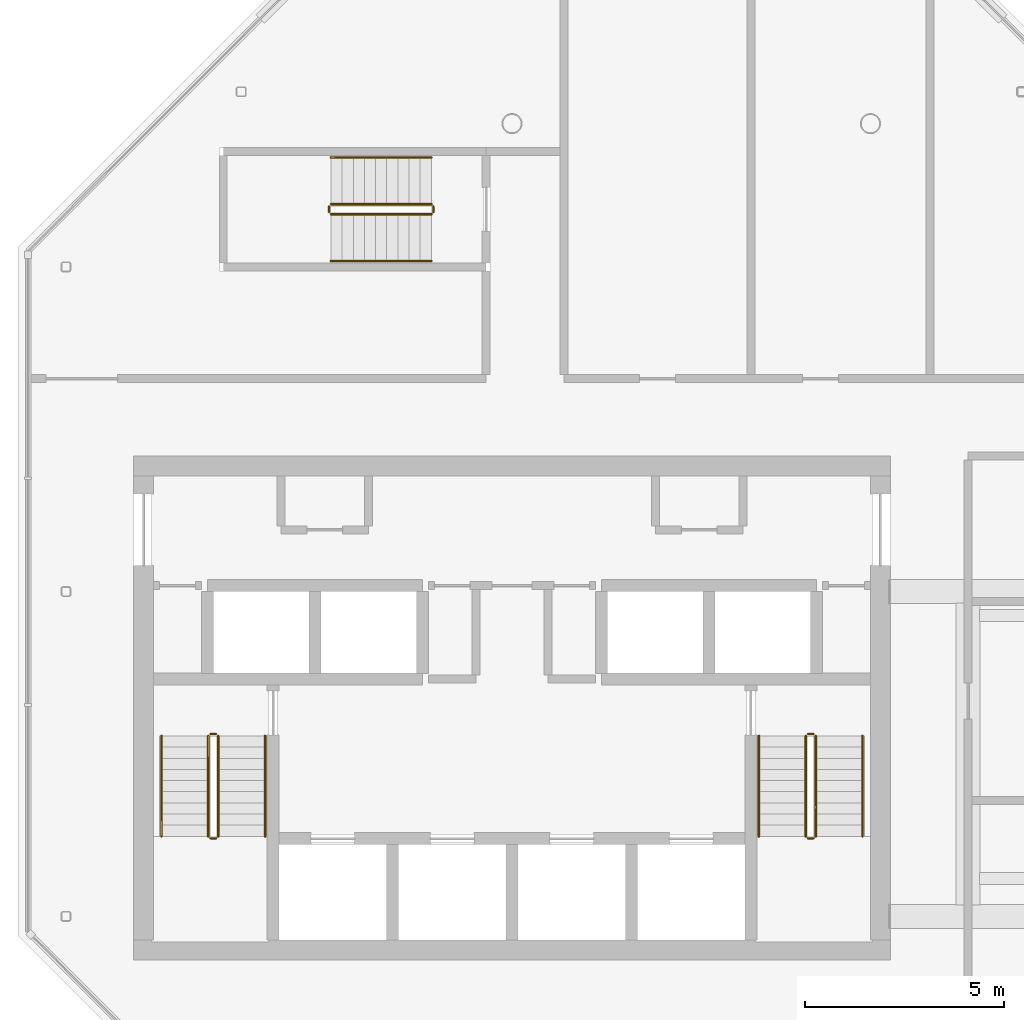
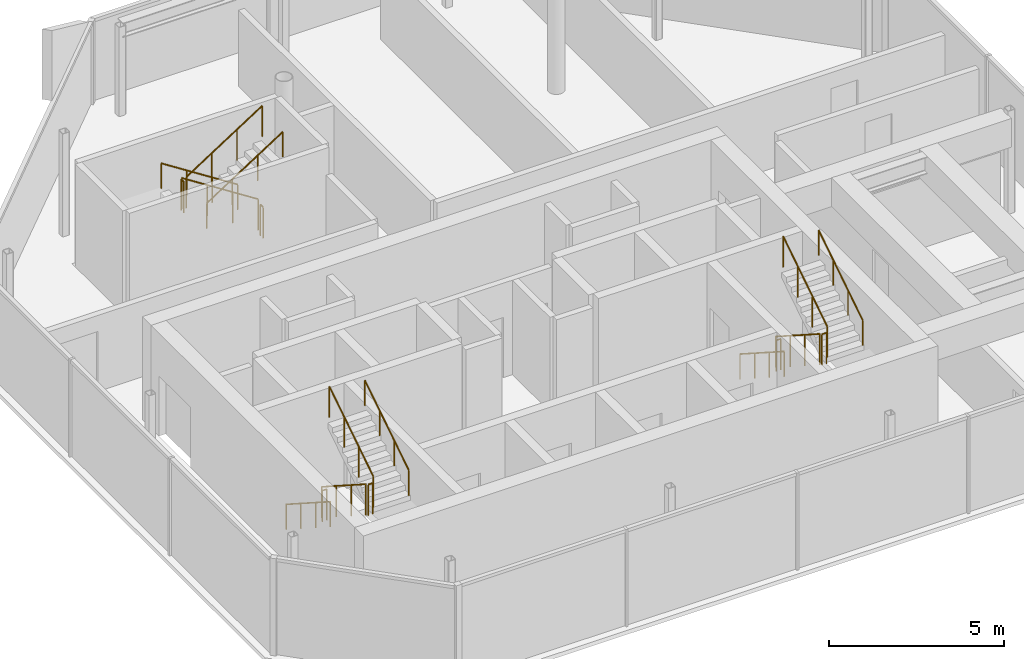
# One storey, part 7 of 7: 18 railings.
"""IFC4 building model written with IfcOpenShell, lengths in metres."""

from ifc_helpers import new_model, si_unit, direction, frame, origin, origin_2d, place, context, subcontext, project, spatial, circle, extrude, material, type_object, element, save


model = new_model("IFC4")

# Units and contexts
model_context = context("Model", 3, precision=1e-05, world=origin(), true_north=direction((0.0, 1.0)))
body_context = subcontext(model_context, "Body", "Model", "MODEL_VIEW")
ifc_project = project(units=[si_unit("LENGTHUNIT", "METRE"), si_unit("AREAUNIT", "SQUARE_METRE"), si_unit("VOLUMEUNIT", "CUBIC_METRE"), si_unit("PLANEANGLEUNIT", "RADIAN"), si_unit("MASSUNIT", "GRAM", prefix="KILO")], contexts=[model_context])

# Site, building, storey
site_placement = place(None, origin())
site = spatial("IfcSite", under=ifc_project, at=site_placement, CompositionType="ELEMENT")
building_placement = place(site_placement, origin())
building = spatial("IfcBuilding", under=site, at=building_placement, Name="Tskaro Facet Tower", CompositionType="ELEMENT")
storey_placement = place(building_placement, frame((0.0, 0.0, 297.300048828125)))
storey = spatial("IfcBuildingStorey", under=building, at=storey_placement, Name="L80", CompositionType="ELEMENT", Elevation=297.300048828125)

# Railings
ifc_material = material(Name="Stainless steel", Category="steel")
railing_type_1 = type_object("IfcRailingType", Name="RL-GUARD-1100", PredefinedType="GUARDRAIL", material=ifc_material)
railing_1_placement = place(storey_placement, frame((-7.625, -6.375, 0.179931640625)))
element("IfcRailing", 1, at=railing_1_placement, inside=storey, type_object=railing_type_1, Name="L80 ST-1 stair guard 1", PredefinedType="GUARDRAIL", context=body_context, shape_type="SweptSolid", body=[
    extrude(circle(Radius=0.02392578125, at=origin_2d()), frame((0.0, 0.0, 1.076171875), z_axis=(0.0, -0.841162588446, 0.540782303519), x_axis=(1.0, 0.0, 0.0)), (0.0, 0.0, 1.0), 2.995849609375),
    extrude(circle(Radius=0.02099609375, at=origin_2d()), origin(), (0.0, 0.0, 1.0), 1.052001953125),
    extrude(circle(Radius=0.02099609375, at=origin_2d()), frame((0.0, -0.840087890625, 0.5400390625)), (0.0, 0.0, 1.0), 1.052001953125),
    extrude(circle(Radius=0.02099609375, at=origin_2d()), frame((0.0, -1.679931640625, 1.080078125)), (0.0, 0.0, 1.0), 1.052001953125),
    extrude(circle(Radius=0.02099609375, at=origin_2d()), frame((0.0, -2.52001953125, 1.6201171875)), (0.0, 0.0, 1.0), 1.052001953125),
])
railing_2_placement = place(storey_placement, frame((-7.574951171875, -8.945068359375, 1.800048828125)))
element("IfcRailing", 2, at=railing_2_placement, inside=storey, type_object=railing_type_1, Name="L80 ST-1 stair guard 2", PredefinedType="GUARDRAIL", context=body_context, shape_type="SweptSolid", body=[
    extrude(circle(Radius=0.02392578125, at=origin_2d()), frame((0.0, 0.0, 1.076171875), z_axis=(1.0, 0.0, 0.0), x_axis=(0.0, 1.0, 0.0)), (0.0, 0.0, 1.0), 0.14990234375),
    extrude(circle(Radius=0.02099609375, at=origin_2d()), origin(), (0.0, 0.0, 1.0), 1.052001953125),
    extrude(circle(Radius=0.02099609375, at=origin_2d()), frame((0.14990234375, 0.0, 0.0)), (0.0, 0.0, 1.0), 1.052001953125),
])
railing_3_placement = place(storey_placement, frame((-7.375, -8.89501953125, 1.97998046875)))
element("IfcRailing", 3, at=railing_3_placement, inside=storey, type_object=railing_type_1, Name="L80 ST-1 stair guard 3", PredefinedType="GUARDRAIL", context=body_context, shape_type="SweptSolid", body=[
    extrude(circle(Radius=0.02392578125, at=origin_2d()), frame((0.0, 0.0, 1.076171875), z_axis=(0.0, 0.841199657755, 0.540724639528), x_axis=(-1.0, 0.0, 0.0)), (0.0, 0.0, 1.0), 2.995849609375),
    extrude(circle(Radius=0.02099609375, at=origin_2d()), origin(), (0.0, 0.0, 1.0), 1.052001953125),
    extrude(circle(Radius=0.02099609375, at=origin_2d()), frame((0.0, 0.840087890625, 0.5400390625)), (0.0, 0.0, 1.0), 1.052001953125),
    extrude(circle(Radius=0.02099609375, at=origin_2d()), frame((0.0, 1.679931640625, 1.079833984375)), (0.0, 0.0, 1.0), 1.052001953125),
    extrude(circle(Radius=0.02099609375, at=origin_2d()), frame((0.0, 2.52001953125, 1.619873046875)), (0.0, 0.0, 1.0), 1.052001953125),
])
railing_4_placement = place(storey_placement, frame((-7.574951171875, -6.324951171875, 0.0)))
element("IfcRailing", 4, at=railing_4_placement, inside=storey, type_object=railing_type_1, Name="L80 ST-1 stair guard 4", PredefinedType="GUARDRAIL", context=body_context, shape_type="SweptSolid", body=[
    extrude(circle(Radius=0.02392578125, at=origin_2d()), frame((0.0, 0.0, 1.076171875), z_axis=(1.0, 0.0, 0.0), x_axis=(0.0, 1.0, 0.0)), (0.0, 0.0, 1.0), 0.14990234375),
    extrude(circle(Radius=0.02099609375, at=origin_2d()), origin(), (0.0, 0.0, 1.0), 1.052001953125),
    extrude(circle(Radius=0.02099609375, at=origin_2d()), frame((0.14990234375, 0.0, 0.0)), (0.0, 0.0, 1.0), 1.052001953125),
])
railing_5_placement = place(storey_placement, frame((7.375, -6.375, 0.179931640625)))
element("IfcRailing", 5, at=railing_5_placement, inside=storey, type_object=railing_type_1, Name="L80 ST-2 stair guard 1", PredefinedType="GUARDRAIL", context=body_context, shape_type="SweptSolid", body=[
    extrude(circle(Radius=0.02392578125, at=origin_2d()), frame((0.0, 0.0, 1.076171875), z_axis=(0.0, -0.841162588446, 0.540782303519), x_axis=(1.0, 0.0, 0.0)), (0.0, 0.0, 1.0), 2.995849609375),
    extrude(circle(Radius=0.02099609375, at=origin_2d()), origin(), (0.0, 0.0, 1.0), 1.052001953125),
    extrude(circle(Radius=0.02099609375, at=origin_2d()), frame((0.0, -0.840087890625, 0.5400390625)), (0.0, 0.0, 1.0), 1.052001953125),
    extrude(circle(Radius=0.02099609375, at=origin_2d()), frame((0.0, -1.679931640625, 1.080078125)), (0.0, 0.0, 1.0), 1.052001953125),
    extrude(circle(Radius=0.02099609375, at=origin_2d()), frame((0.0, -2.52001953125, 1.6201171875)), (0.0, 0.0, 1.0), 1.052001953125),
])
railing_6_placement = place(storey_placement, frame((7.425048828125, -8.945068359375, 1.800048828125)))
element("IfcRailing", 6, at=railing_6_placement, inside=storey, type_object=railing_type_1, Name="L80 ST-2 stair guard 2", PredefinedType="GUARDRAIL", context=body_context, shape_type="SweptSolid", body=[
    extrude(circle(Radius=0.02392578125, at=origin_2d()), frame((0.0, 0.0, 1.076171875), z_axis=(1.0, 0.0, 0.0), x_axis=(0.0, 1.0, 0.0)), (0.0, 0.0, 1.0), 0.14990234375),
    extrude(circle(Radius=0.02099609375, at=origin_2d()), origin(), (0.0, 0.0, 1.0), 1.052001953125),
    extrude(circle(Radius=0.02099609375, at=origin_2d()), frame((0.14990234375, 0.0, 0.0)), (0.0, 0.0, 1.0), 1.052001953125),
])
railing_7_placement = place(storey_placement, frame((7.625, -8.89501953125, 1.97998046875)))
element("IfcRailing", 7, at=railing_7_placement, inside=storey, type_object=railing_type_1, Name="L80 ST-2 stair guard 3", PredefinedType="GUARDRAIL", context=body_context, shape_type="SweptSolid", body=[
    extrude(circle(Radius=0.02392578125, at=origin_2d()), frame((0.0, 0.0, 1.076171875), z_axis=(0.0, 0.841199657755, 0.540724639528), x_axis=(-1.0, 0.0, 0.0)), (0.0, 0.0, 1.0), 2.995849609375),
    extrude(circle(Radius=0.02099609375, at=origin_2d()), origin(), (0.0, 0.0, 1.0), 1.052001953125),
    extrude(circle(Radius=0.02099609375, at=origin_2d()), frame((0.0, 0.840087890625, 0.5400390625)), (0.0, 0.0, 1.0), 1.052001953125),
    extrude(circle(Radius=0.02099609375, at=origin_2d()), frame((0.0, 1.679931640625, 1.079833984375)), (0.0, 0.0, 1.0), 1.052001953125),
    extrude(circle(Radius=0.02099609375, at=origin_2d()), frame((0.0, 2.52001953125, 1.619873046875)), (0.0, 0.0, 1.0), 1.052001953125),
])
railing_8_placement = place(storey_placement, frame((7.425048828125, -6.324951171875, 0.0)))
element("IfcRailing", 8, at=railing_8_placement, inside=storey, type_object=railing_type_1, Name="L80 ST-2 stair guard 4", PredefinedType="GUARDRAIL", context=body_context, shape_type="SweptSolid", body=[
    extrude(circle(Radius=0.02392578125, at=origin_2d()), frame((0.0, 0.0, 1.076171875), z_axis=(1.0, 0.0, 0.0), x_axis=(0.0, 1.0, 0.0)), (0.0, 0.0, 1.0), 0.14990234375),
    extrude(circle(Radius=0.02099609375, at=origin_2d()), origin(), (0.0, 0.0, 1.0), 1.052001953125),
    extrude(circle(Radius=0.02099609375, at=origin_2d()), frame((0.14990234375, 0.0, 0.0)), (0.0, 0.0, 1.0), 1.052001953125),
])
railing_9_placement = place(storey_placement, frame((-2.02490234375, 6.97509765625, 0.179931640625)))
element("IfcRailing", 9, at=railing_9_placement, inside=storey, type_object=railing_type_1, Name="L80 ST-3 stair guard 1", PredefinedType="GUARDRAIL", context=body_context, shape_type="SweptSolid", body=[
    extrude(circle(Radius=0.02392578125, at=origin_2d()), frame((0.0, 0.0, 1.076171875), z_axis=(-0.841162588446, 0.0, 0.540782303519), x_axis=(0.0, -1.0, 0.0)), (0.0, 0.0, 1.0), 2.995849609375),
    extrude(circle(Radius=0.02099609375, at=origin_2d()), origin(), (0.0, 0.0, 1.0), 1.052001953125),
    extrude(circle(Radius=0.02099609375, at=origin_2d()), frame((-0.840087890625, 0.0, 0.5400390625)), (0.0, 0.0, 1.0), 1.052001953125),
    extrude(circle(Radius=0.02099609375, at=origin_2d()), frame((-1.679931640625, 0.0, 1.080078125)), (0.0, 0.0, 1.0), 1.052001953125),
    extrude(circle(Radius=0.02099609375, at=origin_2d()), frame((-2.52001953125, 0.0, 1.6201171875)), (0.0, 0.0, 1.0), 1.052001953125),
])
railing_10_placement = place(storey_placement, frame((-4.594970703125, 6.925048828125, 1.800048828125)))
element("IfcRailing", 10, at=railing_10_placement, inside=storey, type_object=railing_type_1, Name="L80 ST-3 stair guard 2", PredefinedType="GUARDRAIL", context=body_context, shape_type="SweptSolid", body=[
    extrude(circle(Radius=0.02392578125, at=origin_2d()), frame((0.0, 0.0, 1.076171875), z_axis=(0.0, -1.0, 0.0), x_axis=(1.0, 0.0, 0.0)), (0.0, 0.0, 1.0), 0.150146484375),
    extrude(circle(Radius=0.02099609375, at=origin_2d()), origin(), (0.0, 0.0, 1.0), 1.052001953125),
    extrude(circle(Radius=0.02099609375, at=origin_2d()), frame((0.0, -0.150146484375, 0.0)), (0.0, 0.0, 1.0), 1.052001953125),
])
railing_11_placement = place(storey_placement, frame((-4.544921875, 6.72509765625, 1.97998046875)))
element("IfcRailing", 11, at=railing_11_placement, inside=storey, type_object=railing_type_1, Name="L80 ST-3 stair guard 3", PredefinedType="GUARDRAIL", context=body_context, shape_type="SweptSolid", body=[
    extrude(circle(Radius=0.02392578125, at=origin_2d()), frame((0.0, 0.0, 1.076171875), z_axis=(0.841199657755, 0.0, 0.540724639528), x_axis=(0.0, 1.0, 0.0)), (0.0, 0.0, 1.0), 2.995849609375),
    extrude(circle(Radius=0.02099609375, at=origin_2d()), origin(), (0.0, 0.0, 1.0), 1.052001953125),
    extrude(circle(Radius=0.02099609375, at=origin_2d()), frame((0.840087890625, 0.0, 0.5400390625)), (0.0, 0.0, 1.0), 1.052001953125),
    extrude(circle(Radius=0.02099609375, at=origin_2d()), frame((1.679931640625, 0.0, 1.079833984375)), (0.0, 0.0, 1.0), 1.052001953125),
    extrude(circle(Radius=0.02099609375, at=origin_2d()), frame((2.52001953125, 0.0, 1.619873046875)), (0.0, 0.0, 1.0), 1.052001953125),
])
railing_12_placement = place(storey_placement, frame((-1.97509765625, 6.925048828125, 0.0)))
element("IfcRailing", 12, at=railing_12_placement, inside=storey, type_object=railing_type_1, Name="L80 ST-3 stair guard 4", PredefinedType="GUARDRAIL", context=body_context, shape_type="SweptSolid", body=[
    extrude(circle(Radius=0.02392578125, at=origin_2d()), frame((0.0, 0.0, 1.076171875), z_axis=(0.0, -1.0, 0.0), x_axis=(1.0, 0.0, 0.0)), (0.0, 0.0, 1.0), 0.150146484375),
    extrude(circle(Radius=0.02099609375, at=origin_2d()), origin(), (0.0, 0.0, 1.0), 1.052001953125),
    extrude(circle(Radius=0.02099609375, at=origin_2d()), frame((0.0, -0.150146484375, 0.0)), (0.0, 0.0, 1.0), 1.052001953125),
])
railing_type_2 = type_object("IfcRailingType", Name="RL-HANDRAIL-900", PredefinedType="HANDRAIL", material=ifc_material)
railing_13_placement = place(storey_placement, frame((-8.800048828125, -6.375, 0.179931640625)))
element("IfcRailing", 13, at=railing_13_placement, inside=storey, type_object=railing_type_2, Name="L80 ST-1 stair handrail 1", PredefinedType="HANDRAIL", context=body_context, shape_type="SweptSolid", body=[
    extrude(circle(Radius=0.02392578125, at=origin_2d()), frame((0.0, 0.0, 0.8759765625), z_axis=(0.0, -0.841162588446, 0.540782303519), x_axis=(1.0, 0.0, 0.0)), (0.0, 0.0, 1.0), 2.995849609375),
    extrude(circle(Radius=0.02099609375, at=origin_2d()), origin(), (0.0, 0.0, 1.0), 0.851806640625),
    extrude(circle(Radius=0.02099609375, at=origin_2d()), frame((0.0, -0.840087890625, 0.5400390625)), (0.0, 0.0, 1.0), 0.851806640625),
    extrude(circle(Radius=0.02099609375, at=origin_2d()), frame((0.0, -1.679931640625, 1.080078125)), (0.0, 0.0, 1.0), 0.851806640625),
    extrude(circle(Radius=0.02099609375, at=origin_2d()), frame((0.0, -2.52001953125, 1.6201171875)), (0.0, 0.0, 1.0), 0.851806640625),
])
railing_14_placement = place(storey_placement, frame((-6.199951171875, -8.89501953125, 1.97998046875)))
element("IfcRailing", 14, at=railing_14_placement, inside=storey, type_object=railing_type_2, Name="L80 ST-1 stair handrail 2", PredefinedType="HANDRAIL", context=body_context, shape_type="SweptSolid", body=[
    extrude(circle(Radius=0.02392578125, at=origin_2d()), frame((0.0, 0.0, 0.8759765625), z_axis=(0.0, 0.841199657755, 0.540724639528), x_axis=(-1.0, 0.0, 0.0)), (0.0, 0.0, 1.0), 2.995849609375),
    extrude(circle(Radius=0.02099609375, at=origin_2d()), origin(), (0.0, 0.0, 1.0), 0.851806640625),
    extrude(circle(Radius=0.02099609375, at=origin_2d()), frame((0.0, 0.840087890625, 0.5400390625)), (0.0, 0.0, 1.0), 0.851806640625),
    extrude(circle(Radius=0.02099609375, at=origin_2d()), frame((0.0, 1.679931640625, 1.079833984375)), (0.0, 0.0, 1.0), 0.851806640625),
    extrude(circle(Radius=0.02099609375, at=origin_2d()), frame((0.0, 2.52001953125, 1.619873046875)), (0.0, 0.0, 1.0), 0.851806640625),
])
railing_15_placement = place(storey_placement, frame((6.199951171875, -6.375, 0.179931640625)))
element("IfcRailing", 15, at=railing_15_placement, inside=storey, type_object=railing_type_2, Name="L80 ST-2 stair handrail 1", PredefinedType="HANDRAIL", context=body_context, shape_type="SweptSolid", body=[
    extrude(circle(Radius=0.02392578125, at=origin_2d()), frame((0.0, 0.0, 0.8759765625), z_axis=(0.0, -0.841162588446, 0.540782303519), x_axis=(1.0, 0.0, 0.0)), (0.0, 0.0, 1.0), 2.995849609375),
    extrude(circle(Radius=0.02099609375, at=origin_2d()), origin(), (0.0, 0.0, 1.0), 0.851806640625),
    extrude(circle(Radius=0.02099609375, at=origin_2d()), frame((0.0, -0.840087890625, 0.5400390625)), (0.0, 0.0, 1.0), 0.851806640625),
    extrude(circle(Radius=0.02099609375, at=origin_2d()), frame((0.0, -1.679931640625, 1.080078125)), (0.0, 0.0, 1.0), 0.851806640625),
    extrude(circle(Radius=0.02099609375, at=origin_2d()), frame((0.0, -2.52001953125, 1.6201171875)), (0.0, 0.0, 1.0), 0.851806640625),
])
railing_16_placement = place(storey_placement, frame((8.800048828125, -8.89501953125, 1.97998046875)))
element("IfcRailing", 16, at=railing_16_placement, inside=storey, type_object=railing_type_2, Name="L80 ST-2 stair handrail 2", PredefinedType="HANDRAIL", context=body_context, shape_type="SweptSolid", body=[
    extrude(circle(Radius=0.02392578125, at=origin_2d()), frame((0.0, 0.0, 0.8759765625), z_axis=(0.0, 0.841199657755, 0.540724639528), x_axis=(-1.0, 0.0, 0.0)), (0.0, 0.0, 1.0), 2.995849609375),
    extrude(circle(Radius=0.02099609375, at=origin_2d()), origin(), (0.0, 0.0, 1.0), 0.851806640625),
    extrude(circle(Radius=0.02099609375, at=origin_2d()), frame((0.0, 0.840087890625, 0.5400390625)), (0.0, 0.0, 1.0), 0.851806640625),
    extrude(circle(Radius=0.02099609375, at=origin_2d()), frame((0.0, 1.679931640625, 1.079833984375)), (0.0, 0.0, 1.0), 0.851806640625),
    extrude(circle(Radius=0.02099609375, at=origin_2d()), frame((0.0, 2.52001953125, 1.619873046875)), (0.0, 0.0, 1.0), 0.851806640625),
])
railing_17_placement = place(storey_placement, frame((-2.02490234375, 8.14990234375, 0.179931640625)))
element("IfcRailing", 17, at=railing_17_placement, inside=storey, type_object=railing_type_2, Name="L80 ST-3 stair handrail 1", PredefinedType="HANDRAIL", context=body_context, shape_type="SweptSolid", body=[
    extrude(circle(Radius=0.02392578125, at=origin_2d()), frame((0.0, 0.0, 0.8759765625), z_axis=(-0.841162588446, 0.0, 0.540782303519), x_axis=(0.0, -1.0, 0.0)), (0.0, 0.0, 1.0), 2.995849609375),
    extrude(circle(Radius=0.02099609375, at=origin_2d()), origin(), (0.0, 0.0, 1.0), 0.851806640625),
    extrude(circle(Radius=0.02099609375, at=origin_2d()), frame((-0.840087890625, 0.0, 0.5400390625)), (0.0, 0.0, 1.0), 0.851806640625),
    extrude(circle(Radius=0.02099609375, at=origin_2d()), frame((-1.679931640625, 0.0, 1.080078125)), (0.0, 0.0, 1.0), 0.851806640625),
    extrude(circle(Radius=0.02099609375, at=origin_2d()), frame((-2.52001953125, 0.0, 1.6201171875)), (0.0, 0.0, 1.0), 0.851806640625),
])
railing_18_placement = place(storey_placement, frame((-4.544921875, 5.550048828125, 1.97998046875)))
element("IfcRailing", 18, at=railing_18_placement, inside=storey, type_object=railing_type_2, Name="L80 ST-3 stair handrail 2", PredefinedType="HANDRAIL", context=body_context, shape_type="SweptSolid", body=[
    extrude(circle(Radius=0.02392578125, at=origin_2d()), frame((0.0, 0.0, 0.8759765625), z_axis=(0.841199657755, 0.0, 0.540724639528), x_axis=(0.0, 1.0, 0.0)), (0.0, 0.0, 1.0), 2.995849609375),
    extrude(circle(Radius=0.02099609375, at=origin_2d()), origin(), (0.0, 0.0, 1.0), 0.851806640625),
    extrude(circle(Radius=0.02099609375, at=origin_2d()), frame((0.840087890625, 0.0, 0.5400390625)), (0.0, 0.0, 1.0), 0.851806640625),
    extrude(circle(Radius=0.02099609375, at=origin_2d()), frame((1.679931640625, 0.0, 1.079833984375)), (0.0, 0.0, 1.0), 0.851806640625),
    extrude(circle(Radius=0.02099609375, at=origin_2d()), frame((2.52001953125, 0.0, 1.619873046875)), (0.0, 0.0, 1.0), 0.851806640625),
])

save(model, "model.ifc")
